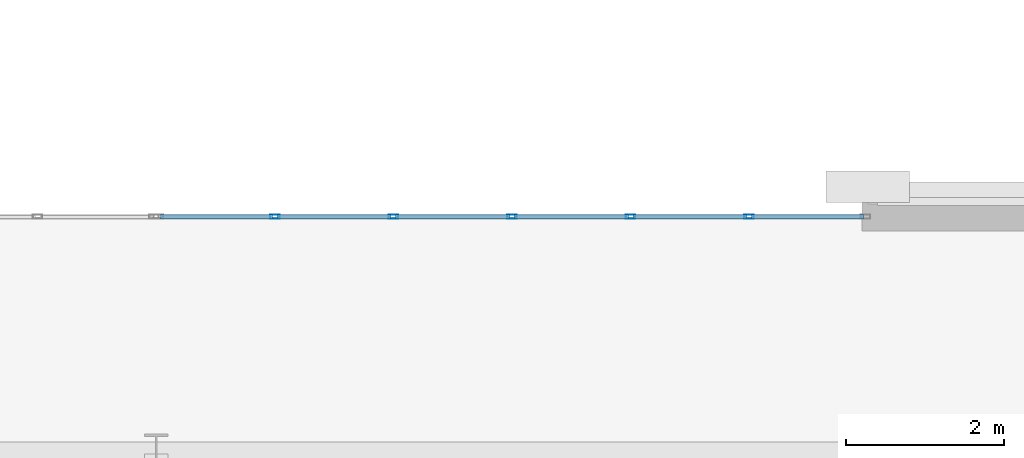
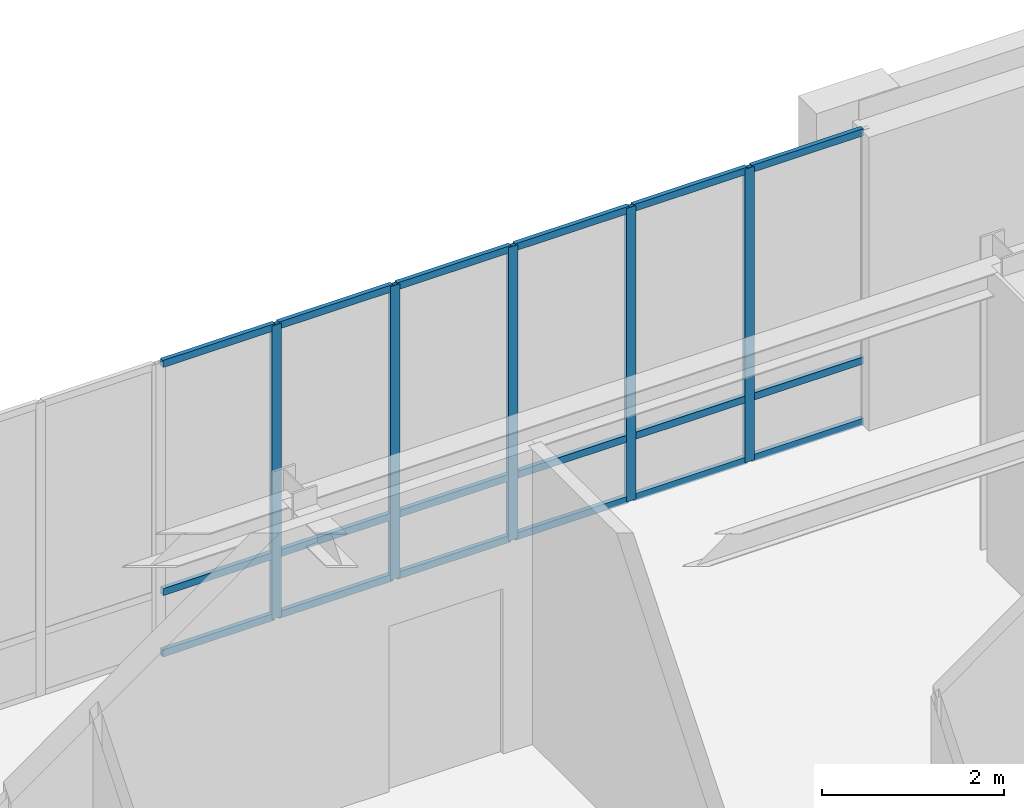
# One storey, part 47 of 108: 23 members, 1 element without a shape of its own.
"""IFC4 building model written with IfcOpenShell, lengths in metres."""

from ifc_helpers import new_model, si_unit, direction, frame, origin, origin_2d, place, context, subcontext, project, spatial, hollow_rectangle, extrude, material, material_profile, profile_set, type_object, element, aggregate, save


model = new_model("IFC4")

# Units and contexts
model_context = context("Model", 3, precision=1e-05, world=origin(), true_north=direction((0.0, 1.0)))
body_context = subcontext(model_context, "Body", "Model", "MODEL_VIEW")
ifc_project = project(units=[si_unit("LENGTHUNIT", "METRE"), si_unit("AREAUNIT", "SQUARE_METRE"), si_unit("VOLUMEUNIT", "CUBIC_METRE"), si_unit("PLANEANGLEUNIT", "RADIAN"), si_unit("MASSUNIT", "GRAM", prefix="KILO")], contexts=[model_context])

# Site, building, storey
site_placement = place(None, origin())
site = spatial("IfcSite", under=ifc_project, at=site_placement, CompositionType="ELEMENT")
building_placement = place(site_placement, origin())
building = spatial("IfcBuilding", under=site, at=building_placement, Name="Lykobir Media Centre", CompositionType="ELEMENT")
storey_placement = place(building_placement, frame((0.0, 0.0, 15.0)))
storey = spatial("IfcBuildingStorey", under=building, at=storey_placement, Name="L03", CompositionType="ELEMENT", Elevation=15.0)

# Curtain wall, members
ifc_material = material(Name="Anodized Aluminium AW-6060", Category="aluminium")
curtain_wall_type = type_object("IfcCurtainWallType", Name="CW-COURT-B", PredefinedType="NOTDEFINED", material=ifc_material)
curtain_wall_placement = place(storey_placement, origin())
curtain_wall = element("IfcCurtainWall", 1, at=curtain_wall_placement, inside=storey, type_object=curtain_wall_type, Name="Curtain wall CW2-L03-0114", PredefinedType="NOTDEFINED")
ifc_material_profile_1 = material_profile(ifc_material, hollow_rectangle(XDim=0.054931640625, YDim=0.1201171875, WallThickness=0.003173828125, at=origin_2d()), Name="ALU MULLION 55x120")
ifc_profile_set_1 = profile_set([ifc_material_profile_1], Name="Anodized Aluminium AW-6060")
member_type_1 = type_object("IfcMemberType", Name="CWM-120", PredefinedType="MULLION", material=ifc_profile_set_1)
member_1_placement = place(storey_placement, frame((64.5, 21.0, 0.0), z_axis=(0.0, 0.0, 1.0), x_axis=(0.0, 1.0, 0.0)))
member_1 = element("IfcMember", 2, at=member_1_placement, type_object=member_type_1, Name="CW2-L03-0114 mullion 2", PredefinedType="MULLION", context=body_context, shape_type="SweptSolid", body=[
    extrude(hollow_rectangle(XDim=0.054931640625, YDim=0.1201171875, WallThickness=0.003173828125, at=origin_2d()), origin(), (0.0, 0.0, 1.0), 3.93994140625),
])
member_2_placement = place(storey_placement, frame((66.0, 21.0, 0.0), z_axis=(0.0, 0.0, 1.0), x_axis=(0.0, 1.0, 0.0)))
member_2 = element("IfcMember", 3, at=member_2_placement, type_object=member_type_1, Name="CW2-L03-0114 mullion 3", PredefinedType="MULLION", context=body_context, shape_type="SweptSolid", body=[
    extrude(hollow_rectangle(XDim=0.054931640625, YDim=0.1201171875, WallThickness=0.003173828125, at=origin_2d()), origin(), (0.0, 0.0, 1.0), 3.93994140625),
])
member_3_placement = place(storey_placement, frame((67.5, 21.0, 0.0), z_axis=(0.0, 0.0, 1.0), x_axis=(0.0, 1.0, 0.0)))
member_3 = element("IfcMember", 4, at=member_3_placement, type_object=member_type_1, Name="CW2-L03-0114 mullion 4", PredefinedType="MULLION", context=body_context, shape_type="SweptSolid", body=[
    extrude(hollow_rectangle(XDim=0.054931640625, YDim=0.1201171875, WallThickness=0.003173828125, at=origin_2d()), origin(), (0.0, 0.0, 1.0), 3.93994140625),
])
member_4_placement = place(storey_placement, frame((69.0, 21.0, 0.0), z_axis=(0.0, 0.0, 1.0), x_axis=(0.0, 1.0, 0.0)))
member_4 = element("IfcMember", 5, at=member_4_placement, type_object=member_type_1, Name="CW2-L03-0114 mullion 5", PredefinedType="MULLION", context=body_context, shape_type="SweptSolid", body=[
    extrude(hollow_rectangle(XDim=0.054931640625, YDim=0.1201171875, WallThickness=0.003173828125, at=origin_2d()), origin(), (0.0, 0.0, 1.0), 3.93994140625),
])
member_5_placement = place(storey_placement, frame((70.5, 21.0, 0.0), z_axis=(0.0, 0.0, 1.0), x_axis=(0.0, 1.0, 0.0)))
member_5 = element("IfcMember", 6, at=member_5_placement, type_object=member_type_1, Name="CW2-L03-0114 mullion 6", PredefinedType="MULLION", context=body_context, shape_type="SweptSolid", body=[
    extrude(hollow_rectangle(XDim=0.054931640625, YDim=0.1201171875, WallThickness=0.003173828125, at=origin_2d()), origin(), (0.0, 0.0, 1.0), 3.93994140625),
])
ifc_material_profile_2 = material_profile(ifc_material, hollow_rectangle(XDim=0.054931640625, YDim=0.094970703125, WallThickness=0.0029296875, at=origin_2d()), Name="ALU TRANSOM 55x95")
ifc_profile_set_2 = profile_set([ifc_material_profile_2], Name="Anodized Aluminium AW-6060")
member_type_2 = type_object("IfcMemberType", Name="CWT-095", PredefinedType="USERDEFINED", material=ifc_profile_set_2)
member_6_placement = place(storey_placement, frame((63.054931640625, 21.0, 0.027587890625), z_axis=(1.0, 0.0, 0.0), x_axis=(0.0, 1.0, 0.0)))
member_6 = element("IfcMember", 7, at=member_6_placement, type_object=member_type_2, Name="CW2-L03-0114 transom 1.1", ObjectType="TRANSOM", PredefinedType="USERDEFINED", context=body_context, shape_type="SweptSolid", body=[
    extrude(hollow_rectangle(XDim=0.054931640625, YDim=0.094970703125, WallThickness=0.0029296875, at=origin_2d()), origin(), (0.0, 0.0, 1.0), 1.41748046875),
])
member_7_placement = place(storey_placement, frame((63.054931640625, 21.0, 0.85009765625), z_axis=(1.0, 0.0, 0.0), x_axis=(0.0, 1.0, 0.0)))
member_7 = element("IfcMember", 8, at=member_7_placement, type_object=member_type_2, Name="CW2-L03-0114 transom 1.2", ObjectType="TRANSOM", PredefinedType="USERDEFINED", context=body_context, shape_type="SweptSolid", body=[
    extrude(hollow_rectangle(XDim=0.054931640625, YDim=0.094970703125, WallThickness=0.0029296875, at=origin_2d()), origin(), (0.0, 0.0, 1.0), 1.41748046875),
])
member_8_placement = place(storey_placement, frame((63.054931640625, 21.0, 3.91259765625), z_axis=(1.0, 0.0, 0.0), x_axis=(0.0, 1.0, 0.0)))
member_8 = element("IfcMember", 9, at=member_8_placement, type_object=member_type_2, Name="CW2-L03-0114 transom 1.3", ObjectType="TRANSOM", PredefinedType="USERDEFINED", context=body_context, shape_type="SweptSolid", body=[
    extrude(hollow_rectangle(XDim=0.054931640625, YDim=0.094970703125, WallThickness=0.0029296875, at=origin_2d()), origin(), (0.0, 0.0, 1.0), 1.41748046875),
])
member_9_placement = place(storey_placement, frame((64.527587890625, 21.0, 0.027587890625), z_axis=(1.0, 0.0, 0.0), x_axis=(0.0, 1.0, 0.0)))
member_9 = element("IfcMember", 10, at=member_9_placement, type_object=member_type_2, Name="CW2-L03-0114 transom 2.1", ObjectType="TRANSOM", PredefinedType="USERDEFINED", context=body_context, shape_type="SweptSolid", body=[
    extrude(hollow_rectangle(XDim=0.054931640625, YDim=0.094970703125, WallThickness=0.0029296875, at=origin_2d()), origin(), (0.0, 0.0, 1.0), 1.44482421875),
])
member_10_placement = place(storey_placement, frame((64.527587890625, 21.0, 0.85009765625), z_axis=(1.0, 0.0, 0.0), x_axis=(0.0, 1.0, 0.0)))
member_10 = element("IfcMember", 11, at=member_10_placement, type_object=member_type_2, Name="CW2-L03-0114 transom 2.2", ObjectType="TRANSOM", PredefinedType="USERDEFINED", context=body_context, shape_type="SweptSolid", body=[
    extrude(hollow_rectangle(XDim=0.054931640625, YDim=0.094970703125, WallThickness=0.0029296875, at=origin_2d()), origin(), (0.0, 0.0, 1.0), 1.44482421875),
])
member_11_placement = place(storey_placement, frame((64.527587890625, 21.0, 3.91259765625), z_axis=(1.0, 0.0, 0.0), x_axis=(0.0, 1.0, 0.0)))
member_11 = element("IfcMember", 12, at=member_11_placement, type_object=member_type_2, Name="CW2-L03-0114 transom 2.3", ObjectType="TRANSOM", PredefinedType="USERDEFINED", context=body_context, shape_type="SweptSolid", body=[
    extrude(hollow_rectangle(XDim=0.054931640625, YDim=0.094970703125, WallThickness=0.0029296875, at=origin_2d()), origin(), (0.0, 0.0, 1.0), 1.44482421875),
])
member_12_placement = place(storey_placement, frame((66.027587890625, 21.0, 0.027587890625), z_axis=(1.0, 0.0, 0.0), x_axis=(0.0, 1.0, 0.0)))
member_12 = element("IfcMember", 13, at=member_12_placement, type_object=member_type_2, Name="CW2-L03-0114 transom 3.1", ObjectType="TRANSOM", PredefinedType="USERDEFINED", context=body_context, shape_type="SweptSolid", body=[
    extrude(hollow_rectangle(XDim=0.054931640625, YDim=0.094970703125, WallThickness=0.0029296875, at=origin_2d()), origin(), (0.0, 0.0, 1.0), 1.44482421875),
])
member_13_placement = place(storey_placement, frame((66.027587890625, 21.0, 0.85009765625), z_axis=(1.0, 0.0, 0.0), x_axis=(0.0, 1.0, 0.0)))
member_13 = element("IfcMember", 14, at=member_13_placement, type_object=member_type_2, Name="CW2-L03-0114 transom 3.2", ObjectType="TRANSOM", PredefinedType="USERDEFINED", context=body_context, shape_type="SweptSolid", body=[
    extrude(hollow_rectangle(XDim=0.054931640625, YDim=0.094970703125, WallThickness=0.0029296875, at=origin_2d()), origin(), (0.0, 0.0, 1.0), 1.44482421875),
])
member_14_placement = place(storey_placement, frame((66.027587890625, 21.0, 3.91259765625), z_axis=(1.0, 0.0, 0.0), x_axis=(0.0, 1.0, 0.0)))
member_14 = element("IfcMember", 15, at=member_14_placement, type_object=member_type_2, Name="CW2-L03-0114 transom 3.3", ObjectType="TRANSOM", PredefinedType="USERDEFINED", context=body_context, shape_type="SweptSolid", body=[
    extrude(hollow_rectangle(XDim=0.054931640625, YDim=0.094970703125, WallThickness=0.0029296875, at=origin_2d()), origin(), (0.0, 0.0, 1.0), 1.44482421875),
])
member_15_placement = place(storey_placement, frame((67.527587890625, 21.0, 0.027587890625), z_axis=(1.0, 0.0, 0.0), x_axis=(0.0, 1.0, 0.0)))
member_15 = element("IfcMember", 16, at=member_15_placement, type_object=member_type_2, Name="CW2-L03-0114 transom 4.1", ObjectType="TRANSOM", PredefinedType="USERDEFINED", context=body_context, shape_type="SweptSolid", body=[
    extrude(hollow_rectangle(XDim=0.054931640625, YDim=0.094970703125, WallThickness=0.0029296875, at=origin_2d()), origin(), (0.0, 0.0, 1.0), 1.44482421875),
])
member_16_placement = place(storey_placement, frame((67.527587890625, 21.0, 0.85009765625), z_axis=(1.0, 0.0, 0.0), x_axis=(0.0, 1.0, 0.0)))
member_16 = element("IfcMember", 17, at=member_16_placement, type_object=member_type_2, Name="CW2-L03-0114 transom 4.2", ObjectType="TRANSOM", PredefinedType="USERDEFINED", context=body_context, shape_type="SweptSolid", body=[
    extrude(hollow_rectangle(XDim=0.054931640625, YDim=0.094970703125, WallThickness=0.0029296875, at=origin_2d()), origin(), (0.0, 0.0, 1.0), 1.44482421875),
])
member_17_placement = place(storey_placement, frame((67.527587890625, 21.0, 3.91259765625), z_axis=(1.0, 0.0, 0.0), x_axis=(0.0, 1.0, 0.0)))
member_17 = element("IfcMember", 18, at=member_17_placement, type_object=member_type_2, Name="CW2-L03-0114 transom 4.3", ObjectType="TRANSOM", PredefinedType="USERDEFINED", context=body_context, shape_type="SweptSolid", body=[
    extrude(hollow_rectangle(XDim=0.054931640625, YDim=0.094970703125, WallThickness=0.0029296875, at=origin_2d()), origin(), (0.0, 0.0, 1.0), 1.44482421875),
])
member_18_placement = place(storey_placement, frame((69.027587890625, 21.0, 0.027587890625), z_axis=(1.0, 0.0, 0.0), x_axis=(0.0, 1.0, 0.0)))
member_18 = element("IfcMember", 19, at=member_18_placement, type_object=member_type_2, Name="CW2-L03-0114 transom 5.1", ObjectType="TRANSOM", PredefinedType="USERDEFINED", context=body_context, shape_type="SweptSolid", body=[
    extrude(hollow_rectangle(XDim=0.054931640625, YDim=0.094970703125, WallThickness=0.0029296875, at=origin_2d()), origin(), (0.0, 0.0, 1.0), 1.44482421875),
])
member_19_placement = place(storey_placement, frame((69.027587890625, 21.0, 0.85009765625), z_axis=(1.0, 0.0, 0.0), x_axis=(0.0, 1.0, 0.0)))
member_19 = element("IfcMember", 20, at=member_19_placement, type_object=member_type_2, Name="CW2-L03-0114 transom 5.2", ObjectType="TRANSOM", PredefinedType="USERDEFINED", context=body_context, shape_type="SweptSolid", body=[
    extrude(hollow_rectangle(XDim=0.054931640625, YDim=0.094970703125, WallThickness=0.0029296875, at=origin_2d()), origin(), (0.0, 0.0, 1.0), 1.44482421875),
])
member_20_placement = place(storey_placement, frame((69.027587890625, 21.0, 3.91259765625), z_axis=(1.0, 0.0, 0.0), x_axis=(0.0, 1.0, 0.0)))
member_20 = element("IfcMember", 21, at=member_20_placement, type_object=member_type_2, Name="CW2-L03-0114 transom 5.3", ObjectType="TRANSOM", PredefinedType="USERDEFINED", context=body_context, shape_type="SweptSolid", body=[
    extrude(hollow_rectangle(XDim=0.054931640625, YDim=0.094970703125, WallThickness=0.0029296875, at=origin_2d()), origin(), (0.0, 0.0, 1.0), 1.44482421875),
])
member_21_placement = place(storey_placement, frame((70.527587890625, 21.0, 0.027587890625), z_axis=(1.0, 0.0, 0.0), x_axis=(0.0, 1.0, 0.0)))
member_21 = element("IfcMember", 22, at=member_21_placement, type_object=member_type_2, Name="CW2-L03-0114 transom 6.1", ObjectType="TRANSOM", PredefinedType="USERDEFINED", context=body_context, shape_type="SweptSolid", body=[
    extrude(hollow_rectangle(XDim=0.054931640625, YDim=0.094970703125, WallThickness=0.0029296875, at=origin_2d()), origin(), (0.0, 0.0, 1.0), 1.41748046875),
])
member_22_placement = place(storey_placement, frame((70.527587890625, 21.0, 0.85009765625), z_axis=(1.0, 0.0, 0.0), x_axis=(0.0, 1.0, 0.0)))
member_22 = element("IfcMember", 23, at=member_22_placement, type_object=member_type_2, Name="CW2-L03-0114 transom 6.2", ObjectType="TRANSOM", PredefinedType="USERDEFINED", context=body_context, shape_type="SweptSolid", body=[
    extrude(hollow_rectangle(XDim=0.054931640625, YDim=0.094970703125, WallThickness=0.0029296875, at=origin_2d()), origin(), (0.0, 0.0, 1.0), 1.41748046875),
])
member_23_placement = place(storey_placement, frame((70.527587890625, 21.0, 3.91259765625), z_axis=(1.0, 0.0, 0.0), x_axis=(0.0, 1.0, 0.0)))
member_23 = element("IfcMember", 24, at=member_23_placement, type_object=member_type_2, Name="CW2-L03-0114 transom 6.3", ObjectType="TRANSOM", PredefinedType="USERDEFINED", context=body_context, shape_type="SweptSolid", body=[
    extrude(hollow_rectangle(XDim=0.054931640625, YDim=0.094970703125, WallThickness=0.0029296875, at=origin_2d()), origin(), (0.0, 0.0, 1.0), 1.41748046875),
])
aggregate(curtain_wall, [member_1, member_2, member_3, member_4, member_5, member_6, member_7, member_8, member_9, member_10, member_11, member_12, member_13, member_14, member_15, member_16, member_17, member_18, member_19, member_20, member_21, member_22, member_23])

save(model, "model.ifc")
